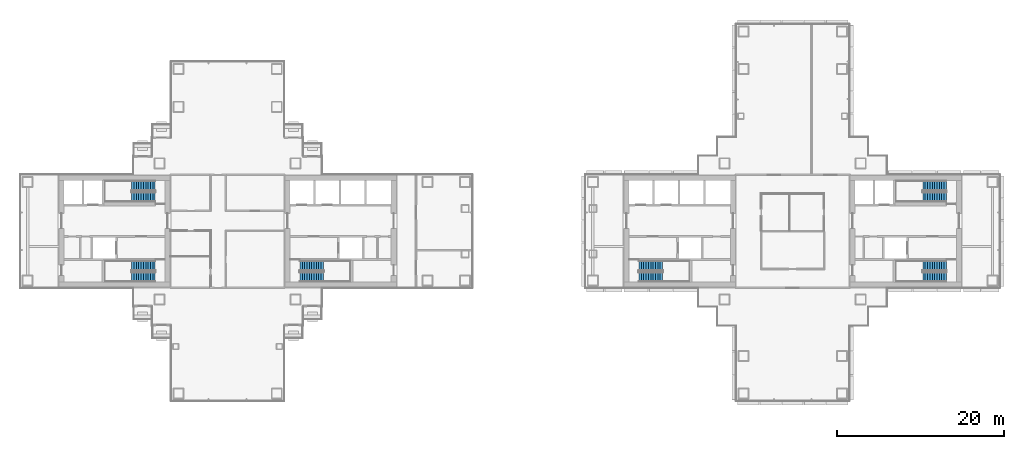
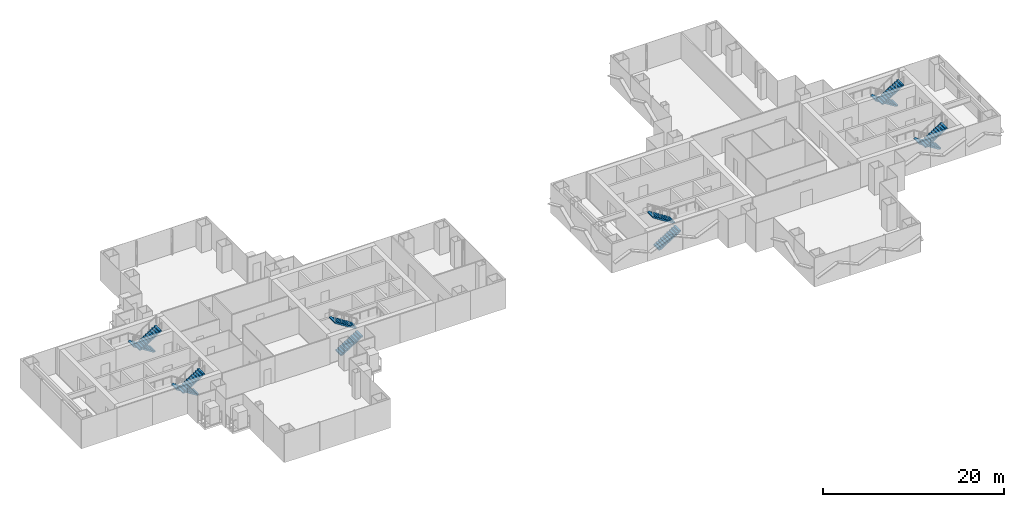
# One storey, part 15 of 19: 12 stair flights, 6 elements without a shape of their own.
"""IFC4 building model written with IfcOpenShell, lengths in metres."""

from ifc_helpers import new_model, si_unit, direction, frame, origin, place, context, subcontext, project, spatial, polyline, outline, extrude, material, type_object, element, aggregate, save


model = new_model("IFC4")

# Units and contexts
model_context = context("Model", 3, precision=1e-05, world=origin(), true_north=direction((0.0, 1.0)))
body_context = subcontext(model_context, "Body", "Model", "MODEL_VIEW")
ifc_project = project(units=[si_unit("LENGTHUNIT", "METRE"), si_unit("AREAUNIT", "SQUARE_METRE"), si_unit("VOLUMEUNIT", "CUBIC_METRE"), si_unit("PLANEANGLEUNIT", "RADIAN"), si_unit("MASSUNIT", "GRAM", prefix="KILO")], contexts=[model_context])

# Site, building, storey
site_placement = place(None, origin())
site = spatial("IfcSite", under=ifc_project, at=site_placement, CompositionType="ELEMENT")
building_placement = place(site_placement, origin())
building = spatial("IfcBuilding", under=site, at=building_placement, Name="Shamsa Quay Exchange Towers", CompositionType="ELEMENT")
storey_placement = place(building_placement, frame((0.0, 0.0, 85.800048828125)))
storey = spatial("IfcBuildingStorey", under=building, at=storey_placement, Name="L19", CompositionType="ELEMENT", Elevation=85.800048828125)

# Stair, stair flights
ifc_material = material(Name="Concrete C40/50", Category="concrete")
stair_type = type_object("IfcStairType", Name="EXIT STAIR 22 RISERS 177 MM", PredefinedType="HALF_TURN_STAIR", material=ifc_material)
stair_1_placement = place(storey_placement, origin())
stair_1 = element("IfcStair", 1, at=stair_1_placement, inside=storey, type_object=stair_type, Name="L19 Exit stair ST1", PredefinedType="HALF_TURN_STAIR")
stair_flight_type = type_object("IfcStairFlightType", Name="EXIT STAIR FLIGHT 11 RISERS 177 MM", PredefinedType="STRAIGHT", material=ifc_material)
stair_flight_1_placement = place(storey_placement, frame((-25.10009765625, -5.449951171875, 0.0)))
stair_flight_1 = element("IfcStairFlight", 2, at=stair_flight_1_placement, type_object=stair_flight_type, Name="ST1 flight 1", NumberOfRisers=11, NumberOfTreads=10, PredefinedType="STRAIGHT", RiserHeight=0.177272727, TreadLength=0.28, context=body_context, shape_type="SweptSolid", body=[
    extrude(outline(polyline([(0.0, 0.0), (0.0, 0.17724609375), (0.280029296875, 0.17724609375), (0.280029296875, 0.3544921875), (0.56005859375, 0.3544921875), (0.56005859375, 0.53173828125), (0.840087890625, 0.53173828125), (0.840087890625, 0.708984375), (1.1201171875, 0.708984375), (1.1201171875, 0.886474609375), (1.39990234375, 0.886474609375), (1.39990234375, 1.063720703125), (1.679931640625, 1.063720703125), (1.679931640625, 1.240966796875), (1.9599609375, 1.240966796875), (1.9599609375, 1.418212890625), (2.239990234375, 1.418212890625), (2.239990234375, 1.595458984375), (2.52001953125, 1.595458984375), (2.52001953125, 1.772705078125), (2.800048828125, 1.772705078125), (2.800048828125, 1.949951171875), (2.800048828125, 1.607177734375), (0.261474609375, 0.0), (0.0, 0.0)])), frame((0.0, 0.60009765625, 0.0), z_axis=(0.0, -1.0, 0.0), x_axis=(1.0, 0.0, 0.0)), (0.0, 0.0, 1.0), 1.199951171875),
])
stair_flight_2_placement = place(storey_placement, frame((-22.300048828125, -4.10009765625, 1.949951171875), z_axis=(0.0, 0.0, 1.0), x_axis=(-1.0, 0.0, 0.0)))
stair_flight_2 = element("IfcStairFlight", 3, at=stair_flight_2_placement, type_object=stair_flight_type, Name="ST1 flight 2", NumberOfRisers=11, NumberOfTreads=10, PredefinedType="STRAIGHT", RiserHeight=0.177272727, TreadLength=0.28, context=body_context, shape_type="SweptSolid", body=[
    extrude(outline(polyline([(0.0, 0.0), (0.0, 0.17724609375), (0.280029296875, 0.17724609375), (0.280029296875, 0.3544921875), (0.56005859375, 0.3544921875), (0.56005859375, 0.53173828125), (0.840087890625, 0.53173828125), (0.840087890625, 0.708984375), (1.1201171875, 0.708984375), (1.1201171875, 0.886474609375), (1.39990234375, 0.886474609375), (1.39990234375, 1.063720703125), (1.679931640625, 1.063720703125), (1.679931640625, 1.240966796875), (1.9599609375, 1.240966796875), (1.9599609375, 1.418212890625), (2.239990234375, 1.418212890625), (2.239990234375, 1.595458984375), (2.52001953125, 1.595458984375), (2.52001953125, 1.772705078125), (2.800048828125, 1.772705078125), (2.800048828125, 1.949951171875), (2.800048828125, 1.607177734375), (0.261474609375, 0.0), (0.0, 0.0)])), frame((0.0, 0.60009765625, 0.0), z_axis=(0.0, -1.0, 0.0), x_axis=(1.0, 0.0, 0.0)), (0.0, 0.0, 1.0), 1.199951171875),
])
aggregate(stair_1, [stair_flight_1, stair_flight_2])

stair_2_placement = place(storey_placement, origin())
stair_2 = element("IfcStair", 4, at=stair_2_placement, inside=storey, type_object=stair_type, Name="L19 Exit stair ST2", PredefinedType="HALF_TURN_STAIR")
stair_flight_3_placement = place(storey_placement, frame((-42.39990234375, -4.10009765625, 0.0), z_axis=(0.0, 0.0, 1.0), x_axis=(-1.0, 0.0, 0.0)))
stair_flight_3 = element("IfcStairFlight", 5, at=stair_flight_3_placement, type_object=stair_flight_type, Name="ST2 flight 1", NumberOfRisers=11, NumberOfTreads=10, PredefinedType="STRAIGHT", RiserHeight=0.177272727, TreadLength=0.28, context=body_context, shape_type="SweptSolid", body=[
    extrude(outline(polyline([(0.0, 0.0), (0.0, 0.17724609375), (0.280029296875, 0.17724609375), (0.280029296875, 0.3544921875), (0.56005859375, 0.3544921875), (0.56005859375, 0.53173828125), (0.840087890625, 0.53173828125), (0.840087890625, 0.708984375), (1.1201171875, 0.708984375), (1.1201171875, 0.886474609375), (1.39990234375, 0.886474609375), (1.39990234375, 1.063720703125), (1.679931640625, 1.063720703125), (1.679931640625, 1.240966796875), (1.9599609375, 1.240966796875), (1.9599609375, 1.418212890625), (2.239990234375, 1.418212890625), (2.239990234375, 1.595458984375), (2.52001953125, 1.595458984375), (2.52001953125, 1.772705078125), (2.800048828125, 1.772705078125), (2.800048828125, 1.949951171875), (2.800048828125, 1.607177734375), (0.261474609375, 0.0), (0.0, 0.0)])), frame((0.0, 0.60009765625, 0.0), z_axis=(0.0, -1.0, 0.0), x_axis=(1.0, 0.0, 0.0)), (0.0, 0.0, 1.0), 1.199951171875),
])
stair_flight_4_placement = place(storey_placement, frame((-45.199951171875, -5.449951171875, 1.949951171875)))
stair_flight_4 = element("IfcStairFlight", 6, at=stair_flight_4_placement, type_object=stair_flight_type, Name="ST2 flight 2", NumberOfRisers=11, NumberOfTreads=10, PredefinedType="STRAIGHT", RiserHeight=0.177272727, TreadLength=0.28, context=body_context, shape_type="SweptSolid", body=[
    extrude(outline(polyline([(0.0, 0.0), (0.0, 0.17724609375), (0.280029296875, 0.17724609375), (0.280029296875, 0.3544921875), (0.56005859375, 0.3544921875), (0.56005859375, 0.53173828125), (0.840087890625, 0.53173828125), (0.840087890625, 0.708984375), (1.1201171875, 0.708984375), (1.1201171875, 0.886474609375), (1.39990234375, 0.886474609375), (1.39990234375, 1.063720703125), (1.679931640625, 1.063720703125), (1.679931640625, 1.240966796875), (1.9599609375, 1.240966796875), (1.9599609375, 1.418212890625), (2.239990234375, 1.418212890625), (2.239990234375, 1.595458984375), (2.52001953125, 1.595458984375), (2.52001953125, 1.772705078125), (2.800048828125, 1.772705078125), (2.800048828125, 1.949951171875), (2.800048828125, 1.607177734375), (0.261474609375, 0.0), (0.0, 0.0)])), frame((0.0, 0.60009765625, 0.0), z_axis=(0.0, -1.0, 0.0), x_axis=(1.0, 0.0, 0.0)), (0.0, 0.0, 1.0), 1.199951171875),
])
aggregate(stair_2, [stair_flight_3, stair_flight_4])

stair_3_placement = place(storey_placement, origin())
stair_3 = element("IfcStair", 7, at=stair_3_placement, inside=storey, type_object=stair_type, Name="L19 Exit stair ST3", PredefinedType="HALF_TURN_STAIR")
stair_flight_5_placement = place(storey_placement, frame((-42.39990234375, 5.449951171875, 0.0), z_axis=(0.0, 0.0, 1.0), x_axis=(-1.0, 0.0, 0.0)))
stair_flight_5 = element("IfcStairFlight", 8, at=stair_flight_5_placement, type_object=stair_flight_type, Name="ST3 flight 1", NumberOfRisers=11, NumberOfTreads=10, PredefinedType="STRAIGHT", RiserHeight=0.177272727, TreadLength=0.28, context=body_context, shape_type="SweptSolid", body=[
    extrude(outline(polyline([(0.0, 0.0), (0.0, 0.17724609375), (0.280029296875, 0.17724609375), (0.280029296875, 0.3544921875), (0.56005859375, 0.3544921875), (0.56005859375, 0.53173828125), (0.840087890625, 0.53173828125), (0.840087890625, 0.708984375), (1.1201171875, 0.708984375), (1.1201171875, 0.886474609375), (1.39990234375, 0.886474609375), (1.39990234375, 1.063720703125), (1.679931640625, 1.063720703125), (1.679931640625, 1.240966796875), (1.9599609375, 1.240966796875), (1.9599609375, 1.418212890625), (2.239990234375, 1.418212890625), (2.239990234375, 1.595458984375), (2.52001953125, 1.595458984375), (2.52001953125, 1.772705078125), (2.800048828125, 1.772705078125), (2.800048828125, 1.949951171875), (2.800048828125, 1.607177734375), (0.261474609375, 0.0), (0.0, 0.0)])), frame((0.0, 0.60009765625, 0.0), z_axis=(0.0, -1.0, 0.0), x_axis=(1.0, 0.0, 0.0)), (0.0, 0.0, 1.0), 1.199951171875),
])
stair_flight_6_placement = place(storey_placement, frame((-45.199951171875, 4.10009765625, 1.949951171875)))
stair_flight_6 = element("IfcStairFlight", 9, at=stair_flight_6_placement, type_object=stair_flight_type, Name="ST3 flight 2", NumberOfRisers=11, NumberOfTreads=10, PredefinedType="STRAIGHT", RiserHeight=0.177272727, TreadLength=0.28, context=body_context, shape_type="SweptSolid", body=[
    extrude(outline(polyline([(0.0, 0.0), (0.0, 0.17724609375), (0.280029296875, 0.17724609375), (0.280029296875, 0.3544921875), (0.56005859375, 0.3544921875), (0.56005859375, 0.53173828125), (0.840087890625, 0.53173828125), (0.840087890625, 0.708984375), (1.1201171875, 0.708984375), (1.1201171875, 0.886474609375), (1.39990234375, 0.886474609375), (1.39990234375, 1.063720703125), (1.679931640625, 1.063720703125), (1.679931640625, 1.240966796875), (1.9599609375, 1.240966796875), (1.9599609375, 1.418212890625), (2.239990234375, 1.418212890625), (2.239990234375, 1.595458984375), (2.52001953125, 1.595458984375), (2.52001953125, 1.772705078125), (2.800048828125, 1.772705078125), (2.800048828125, 1.949951171875), (2.800048828125, 1.607177734375), (0.261474609375, 0.0), (0.0, 0.0)])), frame((0.0, 0.60009765625, 0.0), z_axis=(0.0, -1.0, 0.0), x_axis=(1.0, 0.0, 0.0)), (0.0, 0.0, 1.0), 1.199951171875),
])
aggregate(stair_3, [stair_flight_5, stair_flight_6])

stair_4_placement = place(storey_placement, origin())
stair_4 = element("IfcStair", 10, at=stair_4_placement, inside=storey, type_object=stair_type, Name="L19 Exit stair ST4", PredefinedType="HALF_TURN_STAIR")
stair_flight_7_placement = place(storey_placement, frame((15.39990234375, -5.449951171875, 0.0)))
stair_flight_7 = element("IfcStairFlight", 11, at=stair_flight_7_placement, type_object=stair_flight_type, Name="ST4 flight 1", NumberOfRisers=11, NumberOfTreads=10, PredefinedType="STRAIGHT", RiserHeight=0.177272727, TreadLength=0.28, context=body_context, shape_type="SweptSolid", body=[
    extrude(outline(polyline([(0.0, 0.0), (0.0, 0.17724609375), (0.280029296875, 0.17724609375), (0.280029296875, 0.3544921875), (0.56005859375, 0.3544921875), (0.56005859375, 0.53173828125), (0.840087890625, 0.53173828125), (0.840087890625, 0.708984375), (1.1201171875, 0.708984375), (1.1201171875, 0.886474609375), (1.39990234375, 0.886474609375), (1.39990234375, 1.063720703125), (1.679931640625, 1.063720703125), (1.679931640625, 1.240966796875), (1.9599609375, 1.240966796875), (1.9599609375, 1.418212890625), (2.239990234375, 1.418212890625), (2.239990234375, 1.595458984375), (2.52001953125, 1.595458984375), (2.52001953125, 1.772705078125), (2.800048828125, 1.772705078125), (2.800048828125, 1.949951171875), (2.800048828125, 1.607177734375), (0.261474609375, 0.0), (0.0, 0.0)])), frame((0.0, 0.60009765625, 0.0), z_axis=(0.0, -1.0, 0.0), x_axis=(1.0, 0.0, 0.0)), (0.0, 0.0, 1.0), 1.199951171875),
])
stair_flight_8_placement = place(storey_placement, frame((18.199951171875, -4.10009765625, 1.949951171875), z_axis=(0.0, 0.0, 1.0), x_axis=(-1.0, 0.0, 0.0)))
stair_flight_8 = element("IfcStairFlight", 12, at=stair_flight_8_placement, type_object=stair_flight_type, Name="ST4 flight 2", NumberOfRisers=11, NumberOfTreads=10, PredefinedType="STRAIGHT", RiserHeight=0.177272727, TreadLength=0.28, context=body_context, shape_type="SweptSolid", body=[
    extrude(outline(polyline([(0.0, 0.0), (0.0, 0.17724609375), (0.280029296875, 0.17724609375), (0.280029296875, 0.3544921875), (0.56005859375, 0.3544921875), (0.56005859375, 0.53173828125), (0.840087890625, 0.53173828125), (0.840087890625, 0.708984375), (1.1201171875, 0.708984375), (1.1201171875, 0.886474609375), (1.39990234375, 0.886474609375), (1.39990234375, 1.063720703125), (1.679931640625, 1.063720703125), (1.679931640625, 1.240966796875), (1.9599609375, 1.240966796875), (1.9599609375, 1.418212890625), (2.239990234375, 1.418212890625), (2.239990234375, 1.595458984375), (2.52001953125, 1.595458984375), (2.52001953125, 1.772705078125), (2.800048828125, 1.772705078125), (2.800048828125, 1.949951171875), (2.800048828125, 1.607177734375), (0.261474609375, 0.0), (0.0, 0.0)])), frame((0.0, 0.60009765625, 0.0), z_axis=(0.0, -1.0, 0.0), x_axis=(1.0, 0.0, 0.0)), (0.0, 0.0, 1.0), 1.199951171875),
])
aggregate(stair_4, [stair_flight_7, stair_flight_8])

stair_5_placement = place(storey_placement, origin())
stair_5 = element("IfcStair", 13, at=stair_5_placement, inside=storey, type_object=stair_type, Name="L19 Exit stair ST5", PredefinedType="HALF_TURN_STAIR")
stair_flight_9_placement = place(storey_placement, frame((52.10009765625, -4.10009765625, 0.0), z_axis=(0.0, 0.0, 1.0), x_axis=(-1.0, 0.0, 0.0)))
stair_flight_9 = element("IfcStairFlight", 14, at=stair_flight_9_placement, type_object=stair_flight_type, Name="ST5 flight 1", NumberOfRisers=11, NumberOfTreads=10, PredefinedType="STRAIGHT", RiserHeight=0.177272727, TreadLength=0.28, context=body_context, shape_type="SweptSolid", body=[
    extrude(outline(polyline([(0.0, 0.0), (0.0, 0.17724609375), (0.280029296875, 0.17724609375), (0.280029296875, 0.3544921875), (0.56005859375, 0.3544921875), (0.56005859375, 0.53173828125), (0.840087890625, 0.53173828125), (0.840087890625, 0.708984375), (1.1201171875, 0.708984375), (1.1201171875, 0.886474609375), (1.39990234375, 0.886474609375), (1.39990234375, 1.063720703125), (1.679931640625, 1.063720703125), (1.679931640625, 1.240966796875), (1.9599609375, 1.240966796875), (1.9599609375, 1.418212890625), (2.239990234375, 1.418212890625), (2.239990234375, 1.595458984375), (2.52001953125, 1.595458984375), (2.52001953125, 1.772705078125), (2.800048828125, 1.772705078125), (2.800048828125, 1.949951171875), (2.800048828125, 1.607177734375), (0.261474609375, 0.0), (0.0, 0.0)])), frame((0.0, 0.60009765625, 0.0), z_axis=(0.0, -1.0, 0.0), x_axis=(1.0, 0.0, 0.0)), (0.0, 0.0, 1.0), 1.199951171875),
])
stair_flight_10_placement = place(storey_placement, frame((49.300048828125, -5.449951171875, 1.949951171875)))
stair_flight_10 = element("IfcStairFlight", 15, at=stair_flight_10_placement, type_object=stair_flight_type, Name="ST5 flight 2", NumberOfRisers=11, NumberOfTreads=10, PredefinedType="STRAIGHT", RiserHeight=0.177272727, TreadLength=0.28, context=body_context, shape_type="SweptSolid", body=[
    extrude(outline(polyline([(0.0, 0.0), (0.0, 0.17724609375), (0.280029296875, 0.17724609375), (0.280029296875, 0.3544921875), (0.56005859375, 0.3544921875), (0.56005859375, 0.53173828125), (0.840087890625, 0.53173828125), (0.840087890625, 0.708984375), (1.1201171875, 0.708984375), (1.1201171875, 0.886474609375), (1.39990234375, 0.886474609375), (1.39990234375, 1.063720703125), (1.679931640625, 1.063720703125), (1.679931640625, 1.240966796875), (1.9599609375, 1.240966796875), (1.9599609375, 1.418212890625), (2.239990234375, 1.418212890625), (2.239990234375, 1.595458984375), (2.52001953125, 1.595458984375), (2.52001953125, 1.772705078125), (2.800048828125, 1.772705078125), (2.800048828125, 1.949951171875), (2.800048828125, 1.607177734375), (0.261474609375, 0.0), (0.0, 0.0)])), frame((0.0, 0.60009765625, 0.0), z_axis=(0.0, -1.0, 0.0), x_axis=(1.0, 0.0, 0.0)), (0.0, 0.0, 1.0), 1.199951171875),
])
aggregate(stair_5, [stair_flight_9, stair_flight_10])

stair_6_placement = place(storey_placement, origin())
stair_6 = element("IfcStair", 16, at=stair_6_placement, inside=storey, type_object=stair_type, Name="L19 Exit stair ST6", PredefinedType="HALF_TURN_STAIR")
stair_flight_11_placement = place(storey_placement, frame((52.10009765625, 5.449951171875, 0.0), z_axis=(0.0, 0.0, 1.0), x_axis=(-1.0, 0.0, 0.0)))
stair_flight_11 = element("IfcStairFlight", 17, at=stair_flight_11_placement, type_object=stair_flight_type, Name="ST6 flight 1", NumberOfRisers=11, NumberOfTreads=10, PredefinedType="STRAIGHT", RiserHeight=0.177272727, TreadLength=0.28, context=body_context, shape_type="SweptSolid", body=[
    extrude(outline(polyline([(0.0, 0.0), (0.0, 0.17724609375), (0.280029296875, 0.17724609375), (0.280029296875, 0.3544921875), (0.56005859375, 0.3544921875), (0.56005859375, 0.53173828125), (0.840087890625, 0.53173828125), (0.840087890625, 0.708984375), (1.1201171875, 0.708984375), (1.1201171875, 0.886474609375), (1.39990234375, 0.886474609375), (1.39990234375, 1.063720703125), (1.679931640625, 1.063720703125), (1.679931640625, 1.240966796875), (1.9599609375, 1.240966796875), (1.9599609375, 1.418212890625), (2.239990234375, 1.418212890625), (2.239990234375, 1.595458984375), (2.52001953125, 1.595458984375), (2.52001953125, 1.772705078125), (2.800048828125, 1.772705078125), (2.800048828125, 1.949951171875), (2.800048828125, 1.607177734375), (0.261474609375, 0.0), (0.0, 0.0)])), frame((0.0, 0.60009765625, 0.0), z_axis=(0.0, -1.0, 0.0), x_axis=(1.0, 0.0, 0.0)), (0.0, 0.0, 1.0), 1.199951171875),
])
stair_flight_12_placement = place(storey_placement, frame((49.300048828125, 4.10009765625, 1.949951171875)))
stair_flight_12 = element("IfcStairFlight", 18, at=stair_flight_12_placement, type_object=stair_flight_type, Name="ST6 flight 2", NumberOfRisers=11, NumberOfTreads=10, PredefinedType="STRAIGHT", RiserHeight=0.177272727, TreadLength=0.28, context=body_context, shape_type="SweptSolid", body=[
    extrude(outline(polyline([(0.0, 0.0), (0.0, 0.17724609375), (0.280029296875, 0.17724609375), (0.280029296875, 0.3544921875), (0.56005859375, 0.3544921875), (0.56005859375, 0.53173828125), (0.840087890625, 0.53173828125), (0.840087890625, 0.708984375), (1.1201171875, 0.708984375), (1.1201171875, 0.886474609375), (1.39990234375, 0.886474609375), (1.39990234375, 1.063720703125), (1.679931640625, 1.063720703125), (1.679931640625, 1.240966796875), (1.9599609375, 1.240966796875), (1.9599609375, 1.418212890625), (2.239990234375, 1.418212890625), (2.239990234375, 1.595458984375), (2.52001953125, 1.595458984375), (2.52001953125, 1.772705078125), (2.800048828125, 1.772705078125), (2.800048828125, 1.949951171875), (2.800048828125, 1.607177734375), (0.261474609375, 0.0), (0.0, 0.0)])), frame((0.0, 0.60009765625, 0.0), z_axis=(0.0, -1.0, 0.0), x_axis=(1.0, 0.0, 0.0)), (0.0, 0.0, 1.0), 1.199951171875),
])
aggregate(stair_6, [stair_flight_11, stair_flight_12])

save(model, "model.ifc")
